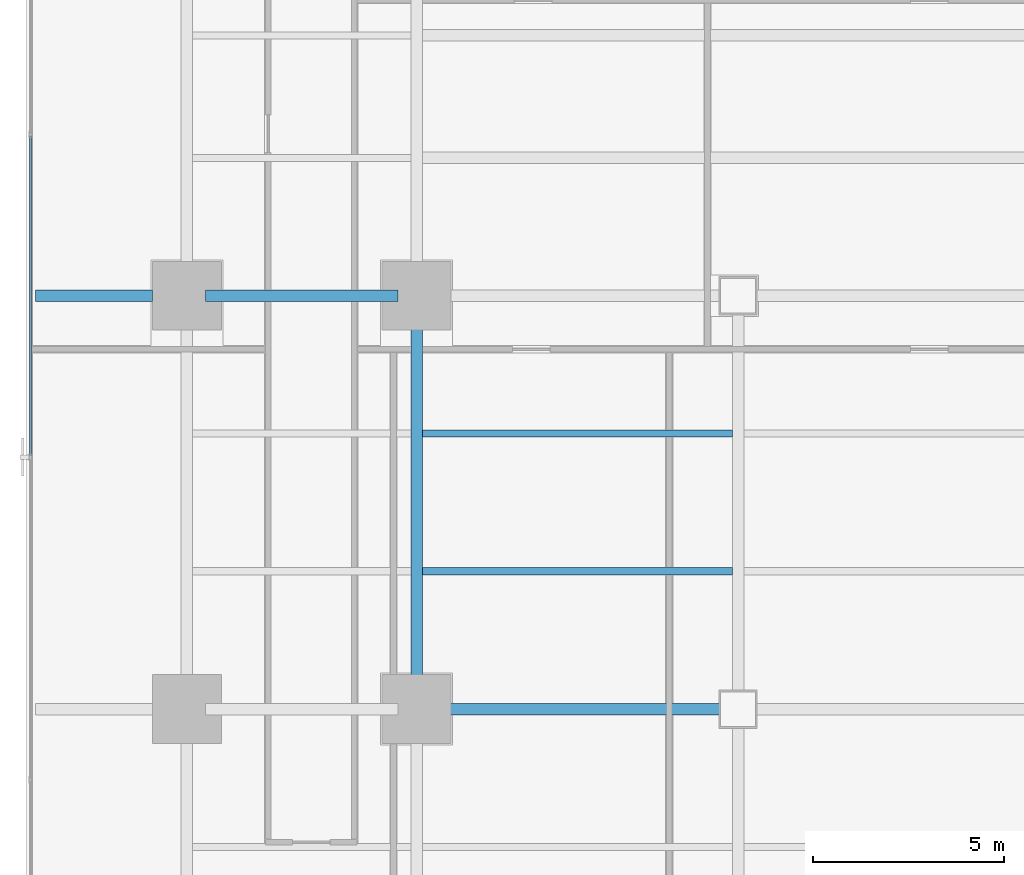
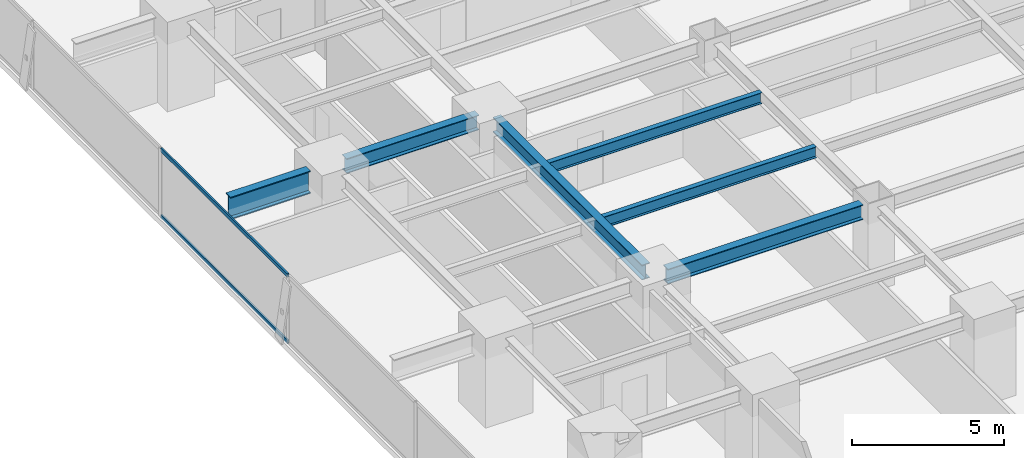
# One storey, part 8 of 32: 6 beams, 2 members, 1 element without a shape of its own.
"""IFC4 building model written with IfcOpenShell, lengths in metres."""

import ifcopenshell
import ifcopenshell.guid

model = None  # the IFC model being written
_history = None  # IfcOwnerHistory: only IFC2X3 demands one
_inside = {}  # id of a spatial element -> (the spatial element, [elements in it])
_under = {}  # id of a project, library or spatial element -> (it, [spatial elements below it])
_declared = {}  # id of a project -> (the project, [libraries it declares])
_typed = {}  # id of a type object -> (the type object, [elements of that type])
_made_of = {}  # id of a material, layer set ... -> (it, [elements and type objects made of it])


def new_model(schema):
    """Start an empty IFC model of exactly this schema.

    Asked for "IFC4X3", IfcOpenShell would pick the latest addendum, in which some entities
    have other attributes; the version numbers below select the first issue.
    IFC2X3 requires an IfcOwnerHistory on every rooted entity: one is made here for all.
    """
    global model, _history
    if schema == "IFC4X3":
        model = ifcopenshell.file(schema_version=(4, 3, 0, 0))
    else:
        model = ifcopenshell.file(schema=schema)
    _inside.clear()
    _under.clear()
    _declared.clear()
    _typed.clear()
    _made_of.clear()
    _history = None
    if model.schema == "IFC2X3":
        org = make("IfcOrganization", Name="unknown")
        user = make(
            "IfcPersonAndOrganization",
            ThePerson=make("IfcPerson", FamilyName="unknown"),
            TheOrganization=org,
        )
        app = make(
            "IfcApplication",
            ApplicationDeveloper=org,
            Version="unknown",
            ApplicationFullName="unknown",
            ApplicationIdentifier="unknown",
        )
        _history = make(
            "IfcOwnerHistory",
            OwningUser=user,
            OwningApplication=app,
            ChangeAction="ADDED",
            CreationDate=0,
        )
    return model


def make(cls, **values):
    """One entity of the class cls with the attributes given. An attribute that is None is left unset."""
    return model.create_entity(
        cls, **{name: value for name, value in values.items() if value is not None}
    )


def rooted(cls, **values):
    """An entity with a GlobalId (a new one), such as an element, a storey or a relation."""
    return make(cls, GlobalId=ifcopenshell.guid.new(), OwnerHistory=_history, **values)


def si_unit(unit_type, name, prefix=None):
    """IfcSIUnit, for example si_unit("LENGTHUNIT", "METRE", prefix="MILLI")."""
    return make("IfcSIUnit", UnitType=unit_type, Prefix=prefix, Name=name)


def assignment(units):
    """IfcUnitAssignment: the units of a project."""
    return None if units is None else make("IfcUnitAssignment", Units=units)


def point(xyz):
    """IfcCartesianPoint."""
    return None if xyz is None else make("IfcCartesianPoint", Coordinates=xyz)


def direction(xyz):
    """IfcDirection."""
    return None if xyz is None else make("IfcDirection", DirectionRatios=xyz)


def frame(location, z_axis=None, x_axis=None):
    """IfcAxis2Placement3D, a coordinate frame: its origin and axes. An axis left out is left unset."""
    return make(
        "IfcAxis2Placement3D",
        Location=point(location),
        Axis=direction(z_axis),
        RefDirection=direction(x_axis),
    )


def frame_2d(location, x_axis=None):
    """IfcAxis2Placement2D, a coordinate frame in the plane: its origin and x axis."""
    return make(
        "IfcAxis2Placement2D", Location=point(location), RefDirection=direction(x_axis)
    )


def origin():
    """The frame at (0, 0, 0) with its axes left unset."""
    return frame((0.0, 0.0, 0.0))


def origin_2d():
    """The frame at (0, 0) in the plane with its x axis left unset."""
    return frame_2d((0.0, 0.0))


def place(relative_to, where):
    """IfcLocalPlacement: puts the frame where relative to a parent placement (None: the world)."""
    return make(
        "IfcLocalPlacement", PlacementRelTo=relative_to, RelativePlacement=where
    )


def context(
    kind, dimensions, precision=None, world=None, true_north=None, identifier=None
):
    """IfcGeometricRepresentationContext, for example the 3D "Model" context."""
    return make(
        "IfcGeometricRepresentationContext",
        ContextIdentifier=identifier,
        ContextType=kind,
        CoordinateSpaceDimension=dimensions,
        Precision=precision,
        WorldCoordinateSystem=world,
        TrueNorth=true_north,
    )


def subcontext(parent, identifier, kind, view, scale=None):
    """IfcGeometricRepresentationSubContext, for example "Body" below "Model"."""
    return make(
        "IfcGeometricRepresentationSubContext",
        ContextIdentifier=identifier,
        ContextType=kind,
        ParentContext=parent,
        TargetScale=scale,
        TargetView=view,
    )


def project(units=None, contexts=None):
    """IfcProject with its units and contexts."""
    return rooted(
        "IfcProject",
        Name="project",
        RepresentationContexts=contexts,
        UnitsInContext=assignment(units),
    )


def spatial(cls, under=None, at=None, **own):
    """A site, building, storey or space (cls), placed at a placement, below another one or the project."""
    s = rooted(cls, ObjectPlacement=at, **own)
    if under is not None:
        _under.setdefault(under.id(), (under, []))[1].append(s)
    return s


def profile(cls, at=None, kind="AREA", **sizes):
    """A parametric profile (cls). Its sizes go by their IFC names, for example OverallWidth=200.0."""
    return make(cls, ProfileType=kind, Position=at, **sizes)


def hollow_rectangle(**sizes):
    """IfcRectangleHollowProfileDef."""
    return profile("IfcRectangleHollowProfileDef", **sizes)


def i_section(**sizes):
    """IfcIShapeProfileDef."""
    return profile("IfcIShapeProfileDef", **sizes)


def extrude(swept, where, along, depth):
    """IfcExtrudedAreaSolid: the profile swept, set in the frame where, extruded along a direction by depth."""
    return make(
        "IfcExtrudedAreaSolid",
        SweptArea=swept,
        Position=where,
        ExtrudedDirection=direction(along),
        Depth=depth,
    )


def shape(context_of_items, identifier, shape_type, items):
    """IfcShapeRepresentation: the items that make up one representation, for example the "Body"."""
    return make(
        "IfcShapeRepresentation",
        ContextOfItems=context_of_items,
        RepresentationIdentifier=identifier,
        RepresentationType=shape_type,
        Items=items,
    )


def source(mapping_origin, context_of_items, identifier, shape_type, items):
    """IfcRepresentationMap: a shape defined once, which mapped items show again and again."""
    return make(
        "IfcRepresentationMap",
        MappingOrigin=mapping_origin,
        MappedRepresentation=shape(context_of_items, identifier, shape_type, items),
    )


def transform(
    local_origin,
    x_axis=None,
    y_axis=None,
    z_axis=None,
    scale=None,
    scale2=None,
    scale3=None,
    uniform=True,
):
    """IfcCartesianTransformationOperator3D, or its non-uniform kind. x_axis, y_axis, z_axis: its Axis1, 2, 3."""
    if uniform:
        return make(
            "IfcCartesianTransformationOperator3D",
            Axis1=direction(x_axis),
            Axis2=direction(y_axis),
            LocalOrigin=point(local_origin),
            Scale=scale,
            Axis3=direction(z_axis),
        )
    return make(
        "IfcCartesianTransformationOperator3DnonUniform",
        Axis1=direction(x_axis),
        Axis2=direction(y_axis),
        LocalOrigin=point(local_origin),
        Scale=scale,
        Axis3=direction(z_axis),
        Scale2=scale2,
        Scale3=scale3,
    )


def mapped(mapping_source, mapping_target):
    """IfcMappedItem: shows the shape of a source again, moved by a transform."""
    return make(
        "IfcMappedItem", MappingSource=mapping_source, MappingTarget=mapping_target
    )


def material(Name=None, Category=None):
    """IfcMaterial."""
    return make("IfcMaterial", Name=Name, Category=Category)


def layer(
    of_material, thickness, ventilated=None, Name=None, Category=None, Priority=None
):
    """IfcMaterialLayer: one layer of a wall or slab, of a material (None: an air gap)."""
    return make(
        "IfcMaterialLayer",
        Material=of_material,
        LayerThickness=thickness,
        IsVentilated=ventilated,
        Name=Name,
        Category=Category,
        Priority=Priority,
    )


def layer_set(layers, Name=None):
    """IfcMaterialLayerSet."""
    return make("IfcMaterialLayerSet", MaterialLayers=layers, LayerSetName=Name)


def material_profile(
    of_material, cross_section, Name=None, Category=None, Priority=None
):
    """IfcMaterialProfile: a cross section and its material."""
    return make(
        "IfcMaterialProfile",
        Name=Name,
        Material=of_material,
        Profile=cross_section,
        Priority=Priority,
        Category=Category,
    )


def profile_set(profiles, Name=None, composite=None):
    """IfcMaterialProfileSet."""
    return make(
        "IfcMaterialProfileSet",
        Name=Name,
        MaterialProfiles=profiles,
        CompositeProfile=composite,
    )


def made_of(thing, what):
    """Note that an element or type object is made of a material, layer set ...; save() writes the relation."""
    if what is not None:
        _made_of.setdefault(what.id(), (what, []))[1].append(thing)
    return thing


def type_object(cls, material=None, **own):
    """A type object (cls), such as IfcWallType, which elements share."""
    return made_of(rooted(cls, **own), material)


def element(
    cls,
    number,
    at=None,
    inside=None,
    cuts=None,
    type_object=None,
    material=None,
    context=None,
    identifier="Body",
    shape_type=None,
    held_by="IfcProductDefinitionShape",
    body=None,
    shapes=None,
    **own,
):
    """One element of the class cls, such as IfcWall. Its Tag is "e" and its number.

    at: its placement. inside: the storey or other place that contains it. cuts: it is an
    opening in that element (IfcRelVoidsElement). A single representation is given by context,
    identifier, shape_type and body (its items); several are given by shapes. held_by: the class
    of the entity that holds the representations. save() writes the other relations.
    """
    e = rooted(cls, Tag="e%d" % number, ObjectPlacement=at, **own)
    if body is not None:
        shapes = [shape(context, identifier, shape_type, body)]
    if shapes is not None:
        e.Representation = make(held_by, Representations=shapes)
    if inside is not None:
        _inside.setdefault(inside.id(), (inside, []))[1].append(e)
    if cuts is not None:
        rooted(
            "IfcRelVoidsElement", RelatingBuildingElement=cuts, RelatedOpeningElement=e
        )
    if type_object is not None:
        _typed.setdefault(type_object.id(), (type_object, []))[1].append(e)
    return made_of(e, material)


def aggregate(whole, parts):
    """IfcRelAggregates: a whole, such as a stair, and the parts it consists of."""
    return rooted("IfcRelAggregates", RelatingObject=whole, RelatedObjects=parts)


def save(model, path):
    """Write the relations noted so far, then the file.

    IfcRelAggregates (storeys below a building ...), IfcRelContainedInSpatialStructure (elements
    in a storey), IfcRelDefinesByType, IfcRelAssociatesMaterial and IfcRelDeclares: one each for
    every whole, place, type object, material and project.
    """
    for whole, parts in _under.values():
        aggregate(whole, parts)
    for where, things in _inside.values():
        rooted(
            "IfcRelContainedInSpatialStructure",
            RelatedElements=things,
            RelatingStructure=where,
        )
    for kind, things in _typed.values():
        rooted("IfcRelDefinesByType", RelatedObjects=things, RelatingType=kind)
    for what, things in _made_of.values():
        rooted("IfcRelAssociatesMaterial", RelatedObjects=things, RelatingMaterial=what)
    for by, libraries in _declared.values():
        rooted("IfcRelDeclares", RelatingContext=by, RelatedDefinitions=libraries)
    model.write(path)


model = new_model("IFC4")

# Units and contexts
model_context = context("Model", 3, precision=1e-05, world=origin(), true_north=direction((0.0, 1.0)))
body_context = subcontext(model_context, "Body", "Model", "MODEL_VIEW")
ifc_project = project(units=[si_unit("LENGTHUNIT", "METRE"), si_unit("AREAUNIT", "SQUARE_METRE"), si_unit("VOLUMEUNIT", "CUBIC_METRE"), si_unit("PLANEANGLEUNIT", "RADIAN"), si_unit("MASSUNIT", "GRAM", prefix="KILO")], contexts=[model_context])

# Site, building, storey
site_placement = place(None, origin())
site = spatial("IfcSite", under=ifc_project, at=site_placement, CompositionType="ELEMENT")
building_placement = place(site_placement, origin())
building = spatial("IfcBuilding", under=site, at=building_placement, Name="Sumidabori Civic Tower", CompositionType="ELEMENT")
storey_placement = place(building_placement, frame((0.0, 0.0, 45.199951171875)))
storey = spatial("IfcBuildingStorey", under=building, at=storey_placement, Name="L11", CompositionType="ELEMENT", Elevation=45.199951171875)

# Beams
ifc_material_1 = material(Name="Steel SN490", Category="steel")
ifc_material_profile_1 = material_profile(ifc_material_1, i_section(OverallWidth=0.300048828125, OverallDepth=0.60009765625, WebThickness=0.015380859375, FlangeThickness=0.030029296875, at=origin_2d()), Name="HE 600 B")
ifc_profile_set_1 = profile_set([ifc_material_profile_1], Name="Steel SN490")
beam_type_1 = type_object("IfcBeamType", Name="BM-GIRD-600", PredefinedType="BEAM", material=ifc_profile_set_1)
shared_shape_1 = source(origin(), body_context, "Body", "SweptSolid", [
    extrude(i_section(OverallWidth=0.300048828125, OverallDepth=0.60009765625, WebThickness=0.015380859375, FlangeThickness=0.030029296875, at=origin_2d()), origin(), (0.0, 0.0, 1.0), 5.0400390625),
])
beam_1_placement = place(storey_placement, frame((-22.320068359375, 0.0, 3.06005859375), z_axis=(1.0, 0.0, 0.0), x_axis=(0.0, 1.0, 0.0)))
element("IfcBeam", 1, at=beam_1_placement, inside=storey, type_object=beam_type_1, Name="Primary Girder L11 GX-13", PredefinedType="BEAM", context=body_context, shape_type="MappedRepresentation", body=[
    mapped(shared_shape_1, transform((0.0, 0.0, 0.0), x_axis=(1.0, 0.0, 0.0), y_axis=(0.0, 1.0, 0.0), z_axis=(0.0, 0.0, 1.0), scale=1.0)),
])
shared_shape_2 = source(origin(), body_context, "Body", "SweptSolid", [
    extrude(i_section(OverallWidth=0.300048828125, OverallDepth=0.60009765625, WebThickness=0.015380859375, FlangeThickness=0.030029296875, at=origin_2d()), origin(), (0.0, 0.0, 1.0), 7.440185546875),
])
beam_2_placement = place(storey_placement, frame((-16.320068359375, -10.800048828125, 3.06005859375), z_axis=(1.0, 0.0, 0.0), x_axis=(0.0, 1.0, 0.0)))
element("IfcBeam", 2, at=beam_2_placement, inside=storey, type_object=beam_type_1, Name="Primary Girder L11 GX-08", PredefinedType="BEAM", context=body_context, shape_type="MappedRepresentation", body=[
    mapped(shared_shape_2, transform((0.0, 0.0, 0.0), x_axis=(1.0, 0.0, 0.0), y_axis=(0.0, 1.0, 0.0), z_axis=(0.0, 0.0, 1.0), scale=1.0)),
])
shared_shape_3 = source(origin(), body_context, "Body", "SweptSolid", [
    extrude(i_section(OverallWidth=0.300048828125, OverallDepth=0.60009765625, WebThickness=0.015380859375, FlangeThickness=0.030029296875, at=origin_2d()), origin(), (0.0, 0.0, 1.0), 9.840087890625),
])
beam_3_placement = place(storey_placement, frame((-16.800048828125, -10.320068359375, 3.06005859375), z_axis=(0.0, 1.0, 0.0), x_axis=(-1.0, 0.0, 0.0)))
element("IfcBeam", 3, at=beam_3_placement, inside=storey, type_object=beam_type_1, Name="Primary Girder L11 GY-26", PredefinedType="BEAM", context=body_context, shape_type="MappedRepresentation", body=[
    mapped(shared_shape_3, transform((0.0, 0.0, 0.0), x_axis=(1.0, 0.0, 0.0), y_axis=(0.0, 1.0, 0.0), z_axis=(0.0, 0.0, 1.0), scale=1.0)),
])
ifc_material_profile_2 = material_profile(ifc_material_1, i_section(OverallWidth=0.302001953125, OverallDepth=0.909912109375, WebThickness=0.02099609375, FlangeThickness=0.0400390625, at=origin_2d()), Name="HE 900 M")
ifc_profile_set_2 = profile_set([ifc_material_profile_2], Name="Steel SN490")
beam_type_2 = type_object("IfcBeamType", Name="BM-Z1-EDGE", PredefinedType="SPANDREL", material=ifc_profile_set_2)
shared_shape_4 = source(origin(), body_context, "Body", "SweptSolid", [
    extrude(i_section(OverallWidth=0.302001953125, OverallDepth=0.909912109375, WebThickness=0.02099609375, FlangeThickness=0.0400390625, at=origin_2d()), origin(), (0.0, 0.0, 1.0), 3.050048828125),
])
beam_4_placement = place(storey_placement, frame((-26.75, 0.0, 2.905029296875), z_axis=(1.0, 0.0, 0.0), x_axis=(0.0, 1.0, 0.0)))
element("IfcBeam", 4, at=beam_4_placement, inside=storey, type_object=beam_type_2, Name="Perimeter Overhang Beam L11 W-46", PredefinedType="SPANDREL", context=body_context, shape_type="MappedRepresentation", body=[
    mapped(shared_shape_4, transform((0.0, 0.0, 0.0), x_axis=(1.0, 0.0, 0.0), y_axis=(0.0, 1.0, 0.0), z_axis=(0.0, 0.0, 1.0), scale=1.0)),
])
ifc_material_profile_3 = material_profile(ifc_material_1, i_section(OverallWidth=0.18994140625, OverallDepth=0.449951171875, WebThickness=0.009521484375, FlangeThickness=0.0146484375, at=origin_2d()), Name="IPE 450")
ifc_profile_set_3 = profile_set([ifc_material_profile_3], Name="Steel SN490")
beam_type_3 = type_object("IfcBeamType", Name="BM-JST-450", PredefinedType="JOIST", material=ifc_profile_set_3)
shared_shape_5 = source(origin(), body_context, "Body", "SweptSolid", [
    extrude(i_section(OverallWidth=0.18994140625, OverallDepth=0.449951171875, WebThickness=0.009521484375, FlangeThickness=0.0146484375, at=origin_2d()), origin(), (0.0, 0.0, 1.0), 8.099853515625),
])
for number, where, z_axis, x_axis, name in (
    (5, (-16.64990234375, -7.199951171875, 3.135009765625), (1.0, 0.0, 0.0), (0.0, 1.0, 0.0), "South Bay Floor Joist L11 JSTS-65"),
    (6, (-16.64990234375, -3.60009765625, 3.135009765625), (1.0, 0.0, 0.0), (0.0, 1.0, 0.0), "South Bay Floor Joist L11 JSTS-69"),
):
    element("IfcBeam", number, at=place(storey_placement, frame(where, z_axis=z_axis, x_axis=x_axis)), inside=storey, type_object=beam_type_3, Name=name, PredefinedType="JOIST", context=body_context, shape_type="MappedRepresentation", body=[
        mapped(shared_shape_5, transform((0.0, 0.0, 0.0), x_axis=(1.0, 0.0, 0.0), y_axis=(0.0, 1.0, 0.0), z_axis=(0.0, 0.0, 1.0), scale=1.0)),
    ])

# Curtain wall, members
ifc_material_2 = material(Name="Anodised Bronze Aluminium AW-6063-T6", Category="aluminium")
ifc_layer = layer(ifc_material_2, 0.179931640625, Name="Anodised Bronze Aluminium AW-6063-T6")
ifc_layer_set = layer_set([ifc_layer], Name="Anodised Bronze Aluminium AW-6063-T6")
curtain_wall_type = type_object("IfcCurtainWallType", Name="CW-SYS-2", PredefinedType="NOTDEFINED", material=ifc_layer_set)
curtain_wall_placement = place(storey_placement, origin())
curtain_wall = element("IfcCurtainWall", 7, at=curtain_wall_placement, inside=storey, type_object=curtain_wall_type, Name="Curtain Wall CW:L11:R10", PredefinedType="NOTDEFINED")
ifc_material_profile_4 = material_profile(ifc_material_2, hollow_rectangle(XDim=0.06494140625, YDim=0.14990234375, WallThickness=0.0048828125, at=origin_2d()), Name="ALU TRANSOM 150x65")
ifc_profile_set_4 = profile_set([ifc_material_profile_4], Name="Anodised Bronze Aluminium AW-6063-T6")
member_type = type_object("IfcMemberType", Name="CW-TRN-150", PredefinedType="USERDEFINED", material=ifc_profile_set_4)
shared_shape_6 = source(origin(), body_context, "Body", "SweptSolid", [
    extrude(hollow_rectangle(XDim=0.06494140625, YDim=0.14990234375, WallThickness=0.0048828125, at=origin_2d()), origin(), (0.0, 0.0, 1.0), 8.35791015625),
])
member_1_placement = place(storey_placement, frame((-26.8798828125, 4.178955078125, 0.032470703125), z_axis=(0.0, -1.0, 0.0), x_axis=(1.0, 0.0, 0.0)))
member_1 = element("IfcMember", 8, at=member_1_placement, type_object=member_type, Name="CW-2 transom 3.1", ObjectType="TRANSOM", PredefinedType="USERDEFINED", context=body_context, shape_type="MappedRepresentation", body=[
    mapped(shared_shape_6, transform((0.0, 0.0, 0.0), x_axis=(1.0, 0.0, 0.0), y_axis=(0.0, 1.0, 0.0), z_axis=(0.0, 0.0, 1.0), scale=1.0)),
])
member_2_placement = place(storey_placement, frame((-26.8798828125, 4.178955078125, 2.70751953125), z_axis=(0.0, -1.0, 0.0), x_axis=(1.0, 0.0, 0.0)))
member_2 = element("IfcMember", 9, at=member_2_placement, type_object=member_type, Name="CW-2 transom 3.2", ObjectType="TRANSOM", PredefinedType="USERDEFINED", context=body_context, shape_type="MappedRepresentation", body=[
    mapped(shared_shape_6, transform((0.0, 0.0, 0.0), x_axis=(1.0, 0.0, 0.0), y_axis=(0.0, 1.0, 0.0), z_axis=(0.0, 0.0, 1.0), scale=1.0)),
])
aggregate(curtain_wall, [member_1, member_2])

save(model, "model.ifc")
